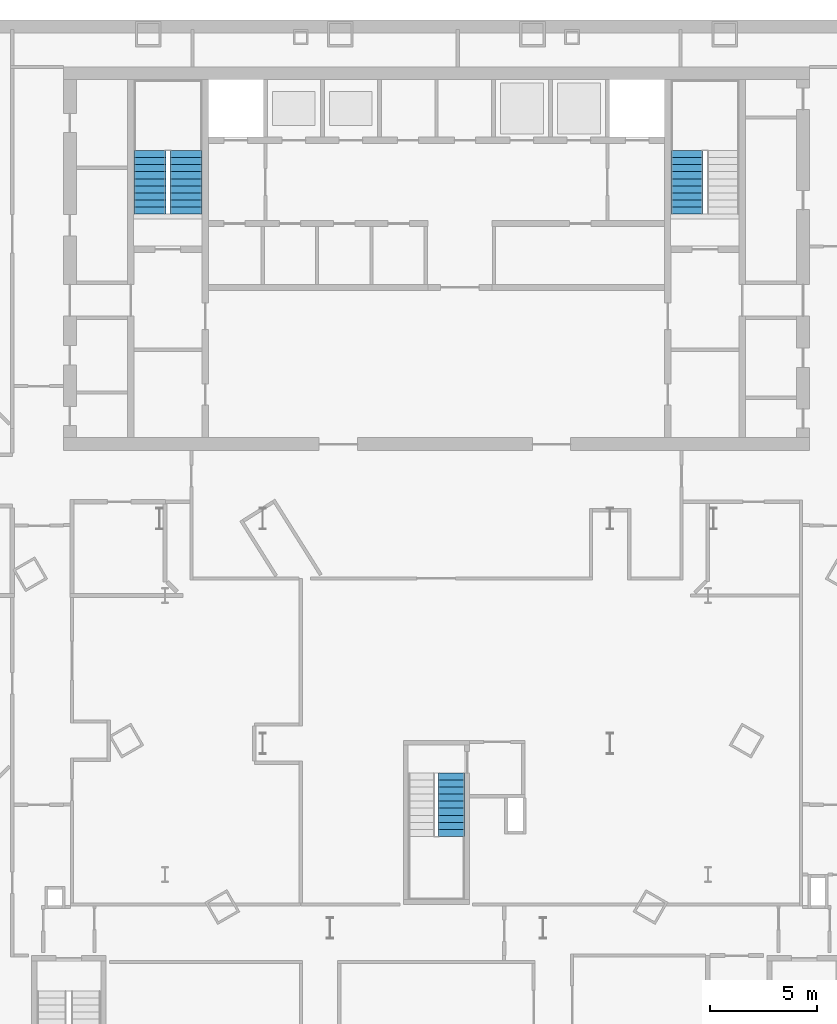
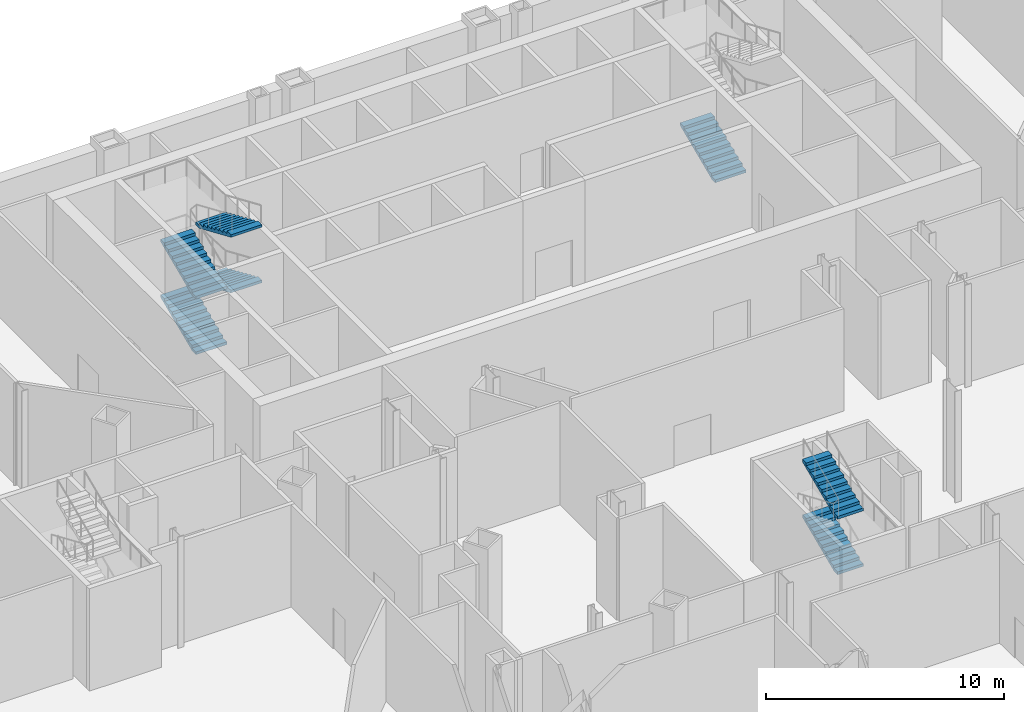
# One storey, part 14 of 18: 7 stair flights, 3 elements without a shape of their own.
"""IFC4 building model written with IfcOpenShell, lengths in metres."""

from ifc_helpers import new_model, si_unit, direction, frame, origin, place, context, subcontext, project, spatial, polygons, material, type_object, element, aggregate, save


model = new_model("IFC4")

# Units and contexts
model_context = context("Model", 3, precision=1e-05, world=origin(), true_north=direction((0.0, 1.0)))
body_context = subcontext(model_context, "Body", "Model", "MODEL_VIEW")
ifc_project = project(units=[si_unit("LENGTHUNIT", "METRE"), si_unit("AREAUNIT", "SQUARE_METRE"), si_unit("VOLUMEUNIT", "CUBIC_METRE"), si_unit("PLANEANGLEUNIT", "RADIAN"), si_unit("MASSUNIT", "GRAM", prefix="KILO")], contexts=[model_context])

# Site, building, storey
site_placement = place(None, origin())
site = spatial("IfcSite", under=ifc_project, at=site_placement, CompositionType="ELEMENT")
building_placement = place(site_placement, origin())
building = spatial("IfcBuilding", under=site, at=building_placement, Name="Njiva Tower", CompositionType="ELEMENT")
storey_placement = place(building_placement, frame((0.0, 0.0, -5.7)))
storey = spatial("IfcBuildingStorey", under=building, at=storey_placement, Name="B1", CompositionType="ELEMENT", Elevation=-5.7)

# Stair, stair flights
ifc_material = material(Name="Concrete C40/50", Category="concrete")
stair_type_1 = type_object("IfcStairType", Name="ST1 Exit stair 1250", PredefinedType="HALF_TURN_STAIR", material=ifc_material)
stair_1_placement = place(storey_placement, origin())
stair_1 = element("IfcStair", 1, at=stair_1_placement, inside=storey, type_object=stair_type_1, Name="Stair C basement", PredefinedType="DOUBLE_RETURN_STAIR")
stair_flight_type_1 = type_object("IfcStairFlightType", Name="FL1 Stair flight 1250", PredefinedType="STRAIGHT", material=ifc_material)
stair_flight_1_placement = place(storey_placement, frame((0.7, -18.105, 1.425), z_axis=(0.0, 0.0, 1.0), x_axis=(0.0, 1.0, 0.0)))
stair_flight_1 = element("IfcStairFlight", 2, at=stair_flight_1_placement, type_object=stair_flight_type_1, Name="ST-CB flight 2", NumberOfRisers=10, NumberOfTreads=9, PredefinedType="STRAIGHT", RiserHeight=0.1425, TreadLength=0.33, context=body_context, shape_type="Tessellation", body=[
    polygons([(0.0, 0.625, 0.0), (0.0, 0.3125, 0.0), (0.0, 0.0, 0.0), (0.0, -0.3125, 0.0), (0.0, -0.625, 0.0), (0.0, 0.625, 0.1425), (0.0, 0.3125, 0.1425), (0.0, 0.0, 0.1425), (0.0, -0.3125, 0.1425), (0.0, -0.625, 0.1425), (0.33, 0.625, 0.1425), (0.33, 0.3125, 0.1425), (0.33, 0.0, 0.1425), (0.33, -0.3125, 0.1425), (0.33, -0.625, 0.1425), (0.33, 0.625, 0.285), (0.33, 0.3125, 0.285), (0.33, 0.0, 0.285), (0.33, -0.3125, 0.285), (0.33, -0.625, 0.285), (0.66, 0.625, 0.285), (0.66, 0.3125, 0.285), (0.66, 0.0, 0.285), (0.66, -0.3125, 0.285), (0.66, -0.625, 0.285), (0.66, 0.625, 0.4275), (0.66, 0.3125, 0.4275), (0.66, 0.0, 0.4275), (0.66, -0.3125, 0.4275), (0.66, -0.625, 0.4275), (0.99, 0.625, 0.4275), (0.99, 0.3125, 0.4275), (0.99, 0.0, 0.4275), (0.99, -0.3125, 0.4275), (0.99, -0.625, 0.4275), (0.99, 0.625, 0.57), (0.99, 0.3125, 0.57), (0.99, 0.0, 0.57), (0.99, -0.3125, 0.57), (0.99, -0.625, 0.57), (1.32, 0.625, 0.57), (1.32, 0.3125, 0.57), (1.32, 0.0, 0.57), (1.32, -0.3125, 0.57), (1.32, -0.625, 0.57), (1.32, 0.625, 0.7125), (1.32, 0.3125, 0.7125), (1.32, 0.0, 0.7125), (1.32, -0.3125, 0.7125), (1.32, -0.625, 0.7125), (1.65, 0.625, 0.7125), (1.65, 0.3125, 0.7125), (1.65, 0.0, 0.7125), (1.65, -0.3125, 0.7125), (1.65, -0.625, 0.7125), (1.65, 0.625, 0.855), (1.65, 0.3125, 0.855), (1.65, 0.0, 0.855), (1.65, -0.3125, 0.855), (1.65, -0.625, 0.855), (1.98, 0.625, 0.855), (1.98, 0.3125, 0.855), (1.98, 0.0, 0.855), (1.98, -0.3125, 0.855), (1.98, -0.625, 0.855), (1.98, 0.625, 0.9975), (1.98, 0.3125, 0.9975), (1.98, 0.0, 0.9975), (1.98, -0.3125, 0.9975), (1.98, -0.625, 0.9975), (2.31, 0.625, 0.9975), (2.31, 0.3125, 0.9975), (2.31, 0.0, 0.9975), (2.31, -0.3125, 0.9975), (2.31, -0.625, 0.9975), (2.31, 0.625, 1.14), (2.31, 0.3125, 1.14), (2.31, 0.0, 1.14), (2.31, -0.3125, 1.14), (2.31, -0.625, 1.14), (2.64, 0.625, 1.14), (2.64, 0.3125, 1.14), (2.64, 0.0, 1.14), (2.64, -0.3125, 1.14), (2.64, -0.625, 1.14), (2.64, 0.625, 1.2825), (2.64, 0.3125, 1.2825), (2.64, 0.0, 1.2825), (2.64, -0.3125, 1.2825), (2.64, -0.625, 1.2825), (2.97, 0.625, 1.2825), (2.97, 0.3125, 1.2825), (2.97, 0.0, 1.2825), (2.97, -0.3125, 1.2825), (2.97, -0.625, 1.2825), (2.97, 0.625, 1.1518), (2.97, 0.3125, 1.1518), (2.97, 0.0, 1.1518), (2.97, -0.3125, 1.1518), (2.97, -0.625, 1.1518), (0.3027, 0.625, 0.0), (0.3027, 0.3125, 0.0), (0.3027, 0.0, 0.0), (0.3027, -0.3125, 0.0), (0.3027, -0.625, 0.0)], [[[1, 6, 11, 16, 21, 26, 31, 36, 41, 46, 51, 56, 61, 66, 71, 76, 81, 86, 91, 96, 101]], [[105, 100, 95, 90, 85, 80, 75, 70, 65, 60, 55, 50, 45, 40, 35, 30, 25, 20, 15, 10, 5]], [[6, 1, 2, 7]], [[7, 2, 3, 8]], [[8, 3, 4, 9]], [[9, 4, 5, 10]], [[11, 6, 7, 12]], [[12, 7, 8, 13]], [[13, 8, 9, 14]], [[14, 9, 10, 15]], [[16, 11, 12, 17]], [[17, 12, 13, 18]], [[18, 13, 14, 19]], [[19, 14, 15, 20]], [[21, 16, 17, 22]], [[22, 17, 18, 23]], [[23, 18, 19, 24]], [[24, 19, 20, 25]], [[26, 21, 22, 27]], [[27, 22, 23, 28]], [[28, 23, 24, 29]], [[29, 24, 25, 30]], [[31, 26, 27, 32]], [[32, 27, 28, 33]], [[33, 28, 29, 34]], [[34, 29, 30, 35]], [[36, 31, 32, 37]], [[37, 32, 33, 38]], [[38, 33, 34, 39]], [[39, 34, 35, 40]], [[41, 36, 37, 42]], [[42, 37, 38, 43]], [[43, 38, 39, 44]], [[44, 39, 40, 45]], [[46, 41, 42, 47]], [[47, 42, 43, 48]], [[48, 43, 44, 49]], [[49, 44, 45, 50]], [[51, 46, 47, 52]], [[52, 47, 48, 53]], [[53, 48, 49, 54]], [[54, 49, 50, 55]], [[56, 51, 52, 57]], [[57, 52, 53, 58]], [[58, 53, 54, 59]], [[59, 54, 55, 60]], [[61, 56, 57, 62]], [[62, 57, 58, 63]], [[63, 58, 59, 64]], [[64, 59, 60, 65]], [[66, 61, 62, 67]], [[67, 62, 63, 68]], [[68, 63, 64, 69]], [[69, 64, 65, 70]], [[71, 66, 67, 72]], [[72, 67, 68, 73]], [[73, 68, 69, 74]], [[74, 69, 70, 75]], [[76, 71, 72, 77]], [[77, 72, 73, 78]], [[78, 73, 74, 79]], [[79, 74, 75, 80]], [[81, 76, 77, 82]], [[82, 77, 78, 83]], [[83, 78, 79, 84]], [[84, 79, 80, 85]], [[86, 81, 82, 87]], [[87, 82, 83, 88]], [[88, 83, 84, 89]], [[89, 84, 85, 90]], [[91, 86, 87, 92]], [[92, 87, 88, 93]], [[93, 88, 89, 94]], [[94, 89, 90, 95]], [[96, 91, 92, 97]], [[97, 92, 93, 98]], [[98, 93, 94, 99]], [[99, 94, 95, 100]], [[101, 96, 97, 102]], [[102, 97, 98, 103]], [[103, 98, 99, 104]], [[104, 99, 100, 105]], [[1, 101, 102, 2]], [[2, 102, 103, 3]], [[3, 103, 104, 4]], [[4, 104, 105, 5]]], closed=True),
])
stair_flight_2_placement = place(storey_placement, frame((0.7, -18.105, 4.275), z_axis=(0.0, 0.0, 1.0), x_axis=(0.0, 1.0, 0.0)))
stair_flight_2 = element("IfcStairFlight", 3, at=stair_flight_2_placement, type_object=stair_flight_type_1, Name="ST-CB flight 4", NumberOfRisers=10, NumberOfTreads=9, PredefinedType="STRAIGHT", RiserHeight=0.1425, TreadLength=0.33, context=body_context, shape_type="Tessellation", body=[
    polygons([(0.0, 0.625, 0.0), (0.0, 0.3125, 0.0), (0.0, 0.0, 0.0), (0.0, -0.3125, 0.0), (0.0, -0.625, 0.0), (0.0, 0.625, 0.1425), (0.0, 0.3125, 0.1425), (0.0, 0.0, 0.1425), (0.0, -0.3125, 0.1425), (0.0, -0.625, 0.1425), (0.33, 0.625, 0.1425), (0.33, 0.3125, 0.1425), (0.33, 0.0, 0.1425), (0.33, -0.3125, 0.1425), (0.33, -0.625, 0.1425), (0.33, 0.625, 0.285), (0.33, 0.3125, 0.285), (0.33, 0.0, 0.285), (0.33, -0.3125, 0.285), (0.33, -0.625, 0.285), (0.66, 0.625, 0.285), (0.66, 0.3125, 0.285), (0.66, 0.0, 0.285), (0.66, -0.3125, 0.285), (0.66, -0.625, 0.285), (0.66, 0.625, 0.4275), (0.66, 0.3125, 0.4275), (0.66, 0.0, 0.4275), (0.66, -0.3125, 0.4275), (0.66, -0.625, 0.4275), (0.99, 0.625, 0.4275), (0.99, 0.3125, 0.4275), (0.99, 0.0, 0.4275), (0.99, -0.3125, 0.4275), (0.99, -0.625, 0.4275), (0.99, 0.625, 0.57), (0.99, 0.3125, 0.57), (0.99, 0.0, 0.57), (0.99, -0.3125, 0.57), (0.99, -0.625, 0.57), (1.32, 0.625, 0.57), (1.32, 0.3125, 0.57), (1.32, 0.0, 0.57), (1.32, -0.3125, 0.57), (1.32, -0.625, 0.57), (1.32, 0.625, 0.7125), (1.32, 0.3125, 0.7125), (1.32, 0.0, 0.7125), (1.32, -0.3125, 0.7125), (1.32, -0.625, 0.7125), (1.65, 0.625, 0.7125), (1.65, 0.3125, 0.7125), (1.65, 0.0, 0.7125), (1.65, -0.3125, 0.7125), (1.65, -0.625, 0.7125), (1.65, 0.625, 0.855), (1.65, 0.3125, 0.855), (1.65, 0.0, 0.855), (1.65, -0.3125, 0.855), (1.65, -0.625, 0.855), (1.98, 0.625, 0.855), (1.98, 0.3125, 0.855), (1.98, 0.0, 0.855), (1.98, -0.3125, 0.855), (1.98, -0.625, 0.855), (1.98, 0.625, 0.9975), (1.98, 0.3125, 0.9975), (1.98, 0.0, 0.9975), (1.98, -0.3125, 0.9975), (1.98, -0.625, 0.9975), (2.31, 0.625, 0.9975), (2.31, 0.3125, 0.9975), (2.31, 0.0, 0.9975), (2.31, -0.3125, 0.9975), (2.31, -0.625, 0.9975), (2.31, 0.625, 1.14), (2.31, 0.3125, 1.14), (2.31, 0.0, 1.14), (2.31, -0.3125, 1.14), (2.31, -0.625, 1.14), (2.64, 0.625, 1.14), (2.64, 0.3125, 1.14), (2.64, 0.0, 1.14), (2.64, -0.3125, 1.14), (2.64, -0.625, 1.14), (2.64, 0.625, 1.2825), (2.64, 0.3125, 1.2825), (2.64, 0.0, 1.2825), (2.64, -0.3125, 1.2825), (2.64, -0.625, 1.2825), (2.97, 0.625, 1.2825), (2.97, 0.3125, 1.2825), (2.97, 0.0, 1.2825), (2.97, -0.3125, 1.2825), (2.97, -0.625, 1.2825), (2.97, 0.625, 1.1518), (2.97, 0.3125, 1.1518), (2.97, 0.0, 1.1518), (2.97, -0.3125, 1.1518), (2.97, -0.625, 1.1518), (0.3027, 0.625, 0.0), (0.3027, 0.3125, 0.0), (0.3027, 0.0, 0.0), (0.3027, -0.3125, 0.0), (0.3027, -0.625, 0.0)], [[[1, 6, 11, 16, 21, 26, 31, 36, 41, 46, 51, 56, 61, 66, 71, 76, 81, 86, 91, 96, 101]], [[105, 100, 95, 90, 85, 80, 75, 70, 65, 60, 55, 50, 45, 40, 35, 30, 25, 20, 15, 10, 5]], [[6, 1, 2, 7]], [[7, 2, 3, 8]], [[8, 3, 4, 9]], [[9, 4, 5, 10]], [[11, 6, 7, 12]], [[12, 7, 8, 13]], [[13, 8, 9, 14]], [[14, 9, 10, 15]], [[16, 11, 12, 17]], [[17, 12, 13, 18]], [[18, 13, 14, 19]], [[19, 14, 15, 20]], [[21, 16, 17, 22]], [[22, 17, 18, 23]], [[23, 18, 19, 24]], [[24, 19, 20, 25]], [[26, 21, 22, 27]], [[27, 22, 23, 28]], [[28, 23, 24, 29]], [[29, 24, 25, 30]], [[31, 26, 27, 32]], [[32, 27, 28, 33]], [[33, 28, 29, 34]], [[34, 29, 30, 35]], [[36, 31, 32, 37]], [[37, 32, 33, 38]], [[38, 33, 34, 39]], [[39, 34, 35, 40]], [[41, 36, 37, 42]], [[42, 37, 38, 43]], [[43, 38, 39, 44]], [[44, 39, 40, 45]], [[46, 41, 42, 47]], [[47, 42, 43, 48]], [[48, 43, 44, 49]], [[49, 44, 45, 50]], [[51, 46, 47, 52]], [[52, 47, 48, 53]], [[53, 48, 49, 54]], [[54, 49, 50, 55]], [[56, 51, 52, 57]], [[57, 52, 53, 58]], [[58, 53, 54, 59]], [[59, 54, 55, 60]], [[61, 56, 57, 62]], [[62, 57, 58, 63]], [[63, 58, 59, 64]], [[64, 59, 60, 65]], [[66, 61, 62, 67]], [[67, 62, 63, 68]], [[68, 63, 64, 69]], [[69, 64, 65, 70]], [[71, 66, 67, 72]], [[72, 67, 68, 73]], [[73, 68, 69, 74]], [[74, 69, 70, 75]], [[76, 71, 72, 77]], [[77, 72, 73, 78]], [[78, 73, 74, 79]], [[79, 74, 75, 80]], [[81, 76, 77, 82]], [[82, 77, 78, 83]], [[83, 78, 79, 84]], [[84, 79, 80, 85]], [[86, 81, 82, 87]], [[87, 82, 83, 88]], [[88, 83, 84, 89]], [[89, 84, 85, 90]], [[91, 86, 87, 92]], [[92, 87, 88, 93]], [[93, 88, 89, 94]], [[94, 89, 90, 95]], [[96, 91, 92, 97]], [[97, 92, 93, 98]], [[98, 93, 94, 99]], [[99, 94, 95, 100]], [[101, 96, 97, 102]], [[102, 97, 98, 103]], [[103, 98, 99, 104]], [[104, 99, 100, 105]], [[1, 101, 102, 2]], [[2, 102, 103, 3]], [[3, 103, 104, 4]], [[4, 104, 105, 5]]], closed=True),
])
aggregate(stair_1, [stair_flight_1, stair_flight_2])

stair_type_2 = type_object("IfcStairType", Name="ST4 Exit stair 1500", PredefinedType="HALF_TURN_STAIR", material=ifc_material)
stair_2_placement = place(storey_placement, origin())
stair_2 = element("IfcStair", 4, at=stair_2_placement, inside=storey, type_object=stair_type_2, Name="Stair A basement", PredefinedType="DOUBLE_RETURN_STAIR")
stair_flight_type_2 = type_object("IfcStairFlightType", Name="FL4 Stair flight 1500", PredefinedType="STRAIGHT", material=ifc_material)
stair_flight_3_placement = place(storey_placement, frame((-13.45, 11.1, 0.0), z_axis=(0.0, 0.0, 1.0), x_axis=(0.0, 1.0, 0.0)))
stair_flight_3 = element("IfcStairFlight", 5, at=stair_flight_3_placement, type_object=stair_flight_type_2, Name="ST-AB flight 1", NumberOfRisers=10, NumberOfTreads=9, PredefinedType="STRAIGHT", RiserHeight=0.1425, TreadLength=0.33, context=body_context, shape_type="Tessellation", body=[
    polygons([(0.0, 0.75, 0.0), (0.0, 0.375, 0.0), (0.0, 0.0, 0.0), (0.0, -0.375, 0.0), (0.0, -0.75, 0.0), (0.0, 0.75, 0.1425), (0.0, 0.375, 0.1425), (0.0, 0.0, 0.1425), (0.0, -0.375, 0.1425), (0.0, -0.75, 0.1425), (0.33, 0.75, 0.1425), (0.33, 0.375, 0.1425), (0.33, 0.0, 0.1425), (0.33, -0.375, 0.1425), (0.33, -0.75, 0.1425), (0.33, 0.75, 0.285), (0.33, 0.375, 0.285), (0.33, 0.0, 0.285), (0.33, -0.375, 0.285), (0.33, -0.75, 0.285), (0.66, 0.75, 0.285), (0.66, 0.375, 0.285), (0.66, 0.0, 0.285), (0.66, -0.375, 0.285), (0.66, -0.75, 0.285), (0.66, 0.75, 0.4275), (0.66, 0.375, 0.4275), (0.66, 0.0, 0.4275), (0.66, -0.375, 0.4275), (0.66, -0.75, 0.4275), (0.99, 0.75, 0.4275), (0.99, 0.375, 0.4275), (0.99, 0.0, 0.4275), (0.99, -0.375, 0.4275), (0.99, -0.75, 0.4275), (0.99, 0.75, 0.57), (0.99, 0.375, 0.57), (0.99, 0.0, 0.57), (0.99, -0.375, 0.57), (0.99, -0.75, 0.57), (1.32, 0.75, 0.57), (1.32, 0.375, 0.57), (1.32, 0.0, 0.57), (1.32, -0.375, 0.57), (1.32, -0.75, 0.57), (1.32, 0.75, 0.7125), (1.32, 0.375, 0.7125), (1.32, 0.0, 0.7125), (1.32, -0.375, 0.7125), (1.32, -0.75, 0.7125), (1.65, 0.75, 0.7125), (1.65, 0.375, 0.7125), (1.65, 0.0, 0.7125), (1.65, -0.375, 0.7125), (1.65, -0.75, 0.7125), (1.65, 0.75, 0.855), (1.65, 0.375, 0.855), (1.65, 0.0, 0.855), (1.65, -0.375, 0.855), (1.65, -0.75, 0.855), (1.98, 0.75, 0.855), (1.98, 0.375, 0.855), (1.98, 0.0, 0.855), (1.98, -0.375, 0.855), (1.98, -0.75, 0.855), (1.98, 0.75, 0.9975), (1.98, 0.375, 0.9975), (1.98, 0.0, 0.9975), (1.98, -0.375, 0.9975), (1.98, -0.75, 0.9975), (2.31, 0.75, 0.9975), (2.31, 0.375, 0.9975), (2.31, 0.0, 0.9975), (2.31, -0.375, 0.9975), (2.31, -0.75, 0.9975), (2.31, 0.75, 1.14), (2.31, 0.375, 1.14), (2.31, 0.0, 1.14), (2.31, -0.375, 1.14), (2.31, -0.75, 1.14), (2.64, 0.75, 1.14), (2.64, 0.375, 1.14), (2.64, 0.0, 1.14), (2.64, -0.375, 1.14), (2.64, -0.75, 1.14), (2.64, 0.75, 1.2825), (2.64, 0.375, 1.2825), (2.64, 0.0, 1.2825), (2.64, -0.375, 1.2825), (2.64, -0.75, 1.2825), (2.97, 0.75, 1.2825), (2.97, 0.375, 1.2825), (2.97, 0.0, 1.2825), (2.97, -0.375, 1.2825), (2.97, -0.75, 1.2825), (2.97, 0.75, 1.1518), (2.97, 0.375, 1.1518), (2.97, 0.0, 1.1518), (2.97, -0.375, 1.1518), (2.97, -0.75, 1.1518), (0.3027, 0.75, 0.0), (0.3027, 0.375, 0.0), (0.3027, 0.0, 0.0), (0.3027, -0.375, 0.0), (0.3027, -0.75, 0.0)], [[[1, 6, 11, 16, 21, 26, 31, 36, 41, 46, 51, 56, 61, 66, 71, 76, 81, 86, 91, 96, 101]], [[105, 100, 95, 90, 85, 80, 75, 70, 65, 60, 55, 50, 45, 40, 35, 30, 25, 20, 15, 10, 5]], [[6, 1, 2, 7]], [[7, 2, 3, 8]], [[8, 3, 4, 9]], [[9, 4, 5, 10]], [[11, 6, 7, 12]], [[12, 7, 8, 13]], [[13, 8, 9, 14]], [[14, 9, 10, 15]], [[16, 11, 12, 17]], [[17, 12, 13, 18]], [[18, 13, 14, 19]], [[19, 14, 15, 20]], [[21, 16, 17, 22]], [[22, 17, 18, 23]], [[23, 18, 19, 24]], [[24, 19, 20, 25]], [[26, 21, 22, 27]], [[27, 22, 23, 28]], [[28, 23, 24, 29]], [[29, 24, 25, 30]], [[31, 26, 27, 32]], [[32, 27, 28, 33]], [[33, 28, 29, 34]], [[34, 29, 30, 35]], [[36, 31, 32, 37]], [[37, 32, 33, 38]], [[38, 33, 34, 39]], [[39, 34, 35, 40]], [[41, 36, 37, 42]], [[42, 37, 38, 43]], [[43, 38, 39, 44]], [[44, 39, 40, 45]], [[46, 41, 42, 47]], [[47, 42, 43, 48]], [[48, 43, 44, 49]], [[49, 44, 45, 50]], [[51, 46, 47, 52]], [[52, 47, 48, 53]], [[53, 48, 49, 54]], [[54, 49, 50, 55]], [[56, 51, 52, 57]], [[57, 52, 53, 58]], [[58, 53, 54, 59]], [[59, 54, 55, 60]], [[61, 56, 57, 62]], [[62, 57, 58, 63]], [[63, 58, 59, 64]], [[64, 59, 60, 65]], [[66, 61, 62, 67]], [[67, 62, 63, 68]], [[68, 63, 64, 69]], [[69, 64, 65, 70]], [[71, 66, 67, 72]], [[72, 67, 68, 73]], [[73, 68, 69, 74]], [[74, 69, 70, 75]], [[76, 71, 72, 77]], [[77, 72, 73, 78]], [[78, 73, 74, 79]], [[79, 74, 75, 80]], [[81, 76, 77, 82]], [[82, 77, 78, 83]], [[83, 78, 79, 84]], [[84, 79, 80, 85]], [[86, 81, 82, 87]], [[87, 82, 83, 88]], [[88, 83, 84, 89]], [[89, 84, 85, 90]], [[91, 86, 87, 92]], [[92, 87, 88, 93]], [[93, 88, 89, 94]], [[94, 89, 90, 95]], [[96, 91, 92, 97]], [[97, 92, 93, 98]], [[98, 93, 94, 99]], [[99, 94, 95, 100]], [[101, 96, 97, 102]], [[102, 97, 98, 103]], [[103, 98, 99, 104]], [[104, 99, 100, 105]], [[1, 101, 102, 2]], [[2, 102, 103, 3]], [[3, 103, 104, 4]], [[4, 104, 105, 5]]], closed=True),
])
stair_flight_4_placement = place(storey_placement, frame((-11.75, 14.07, 1.425), z_axis=(0.0, 0.0, 1.0), x_axis=(0.0, -1.0, 0.0)))
stair_flight_4 = element("IfcStairFlight", 6, at=stair_flight_4_placement, type_object=stair_flight_type_2, Name="ST-AB flight 2", NumberOfRisers=10, NumberOfTreads=9, PredefinedType="STRAIGHT", RiserHeight=0.1425, TreadLength=0.33, context=body_context, shape_type="Tessellation", body=[
    polygons([(0.0, 0.75, 0.0), (0.0, 0.375, 0.0), (0.0, 0.0, 0.0), (0.0, -0.375, 0.0), (0.0, -0.75, 0.0), (0.0, 0.75, 0.1425), (0.0, 0.375, 0.1425), (0.0, 0.0, 0.1425), (0.0, -0.375, 0.1425), (0.0, -0.75, 0.1425), (0.33, 0.75, 0.1425), (0.33, 0.375, 0.1425), (0.33, 0.0, 0.1425), (0.33, -0.375, 0.1425), (0.33, -0.75, 0.1425), (0.33, 0.75, 0.285), (0.33, 0.375, 0.285), (0.33, 0.0, 0.285), (0.33, -0.375, 0.285), (0.33, -0.75, 0.285), (0.66, 0.75, 0.285), (0.66, 0.375, 0.285), (0.66, 0.0, 0.285), (0.66, -0.375, 0.285), (0.66, -0.75, 0.285), (0.66, 0.75, 0.4275), (0.66, 0.375, 0.4275), (0.66, 0.0, 0.4275), (0.66, -0.375, 0.4275), (0.66, -0.75, 0.4275), (0.99, 0.75, 0.4275), (0.99, 0.375, 0.4275), (0.99, 0.0, 0.4275), (0.99, -0.375, 0.4275), (0.99, -0.75, 0.4275), (0.99, 0.75, 0.57), (0.99, 0.375, 0.57), (0.99, 0.0, 0.57), (0.99, -0.375, 0.57), (0.99, -0.75, 0.57), (1.32, 0.75, 0.57), (1.32, 0.375, 0.57), (1.32, 0.0, 0.57), (1.32, -0.375, 0.57), (1.32, -0.75, 0.57), (1.32, 0.75, 0.7125), (1.32, 0.375, 0.7125), (1.32, 0.0, 0.7125), (1.32, -0.375, 0.7125), (1.32, -0.75, 0.7125), (1.65, 0.75, 0.7125), (1.65, 0.375, 0.7125), (1.65, 0.0, 0.7125), (1.65, -0.375, 0.7125), (1.65, -0.75, 0.7125), (1.65, 0.75, 0.855), (1.65, 0.375, 0.855), (1.65, 0.0, 0.855), (1.65, -0.375, 0.855), (1.65, -0.75, 0.855), (1.98, 0.75, 0.855), (1.98, 0.375, 0.855), (1.98, 0.0, 0.855), (1.98, -0.375, 0.855), (1.98, -0.75, 0.855), (1.98, 0.75, 0.9975), (1.98, 0.375, 0.9975), (1.98, 0.0, 0.9975), (1.98, -0.375, 0.9975), (1.98, -0.75, 0.9975), (2.31, 0.75, 0.9975), (2.31, 0.375, 0.9975), (2.31, 0.0, 0.9975), (2.31, -0.375, 0.9975), (2.31, -0.75, 0.9975), (2.31, 0.75, 1.14), (2.31, 0.375, 1.14), (2.31, 0.0, 1.14), (2.31, -0.375, 1.14), (2.31, -0.75, 1.14), (2.64, 0.75, 1.14), (2.64, 0.375, 1.14), (2.64, 0.0, 1.14), (2.64, -0.375, 1.14), (2.64, -0.75, 1.14), (2.64, 0.75, 1.2825), (2.64, 0.375, 1.2825), (2.64, 0.0, 1.2825), (2.64, -0.375, 1.2825), (2.64, -0.75, 1.2825), (2.97, 0.75, 1.2825), (2.97, 0.375, 1.2825), (2.97, 0.0, 1.2825), (2.97, -0.375, 1.2825), (2.97, -0.75, 1.2825), (2.97, 0.75, 1.1518), (2.97, 0.375, 1.1518), (2.97, 0.0, 1.1518), (2.97, -0.375, 1.1518), (2.97, -0.75, 1.1518), (0.3027, 0.75, 0.0), (0.3027, 0.375, 0.0), (0.3027, 0.0, 0.0), (0.3027, -0.375, 0.0), (0.3027, -0.75, 0.0)], [[[1, 6, 11, 16, 21, 26, 31, 36, 41, 46, 51, 56, 61, 66, 71, 76, 81, 86, 91, 96, 101]], [[105, 100, 95, 90, 85, 80, 75, 70, 65, 60, 55, 50, 45, 40, 35, 30, 25, 20, 15, 10, 5]], [[6, 1, 2, 7]], [[7, 2, 3, 8]], [[8, 3, 4, 9]], [[9, 4, 5, 10]], [[11, 6, 7, 12]], [[12, 7, 8, 13]], [[13, 8, 9, 14]], [[14, 9, 10, 15]], [[16, 11, 12, 17]], [[17, 12, 13, 18]], [[18, 13, 14, 19]], [[19, 14, 15, 20]], [[21, 16, 17, 22]], [[22, 17, 18, 23]], [[23, 18, 19, 24]], [[24, 19, 20, 25]], [[26, 21, 22, 27]], [[27, 22, 23, 28]], [[28, 23, 24, 29]], [[29, 24, 25, 30]], [[31, 26, 27, 32]], [[32, 27, 28, 33]], [[33, 28, 29, 34]], [[34, 29, 30, 35]], [[36, 31, 32, 37]], [[37, 32, 33, 38]], [[38, 33, 34, 39]], [[39, 34, 35, 40]], [[41, 36, 37, 42]], [[42, 37, 38, 43]], [[43, 38, 39, 44]], [[44, 39, 40, 45]], [[46, 41, 42, 47]], [[47, 42, 43, 48]], [[48, 43, 44, 49]], [[49, 44, 45, 50]], [[51, 46, 47, 52]], [[52, 47, 48, 53]], [[53, 48, 49, 54]], [[54, 49, 50, 55]], [[56, 51, 52, 57]], [[57, 52, 53, 58]], [[58, 53, 54, 59]], [[59, 54, 55, 60]], [[61, 56, 57, 62]], [[62, 57, 58, 63]], [[63, 58, 59, 64]], [[64, 59, 60, 65]], [[66, 61, 62, 67]], [[67, 62, 63, 68]], [[68, 63, 64, 69]], [[69, 64, 65, 70]], [[71, 66, 67, 72]], [[72, 67, 68, 73]], [[73, 68, 69, 74]], [[74, 69, 70, 75]], [[76, 71, 72, 77]], [[77, 72, 73, 78]], [[78, 73, 74, 79]], [[79, 74, 75, 80]], [[81, 76, 77, 82]], [[82, 77, 78, 83]], [[83, 78, 79, 84]], [[84, 79, 80, 85]], [[86, 81, 82, 87]], [[87, 82, 83, 88]], [[88, 83, 84, 89]], [[89, 84, 85, 90]], [[91, 86, 87, 92]], [[92, 87, 88, 93]], [[93, 88, 89, 94]], [[94, 89, 90, 95]], [[96, 91, 92, 97]], [[97, 92, 93, 98]], [[98, 93, 94, 99]], [[99, 94, 95, 100]], [[101, 96, 97, 102]], [[102, 97, 98, 103]], [[103, 98, 99, 104]], [[104, 99, 100, 105]], [[1, 101, 102, 2]], [[2, 102, 103, 3]], [[3, 103, 104, 4]], [[4, 104, 105, 5]]], closed=True),
])
stair_flight_5_placement = place(storey_placement, frame((-13.45, 11.1, 2.85), z_axis=(0.0, 0.0, 1.0), x_axis=(0.0, 1.0, 0.0)))
stair_flight_5 = element("IfcStairFlight", 7, at=stair_flight_5_placement, type_object=stair_flight_type_2, Name="ST-AB flight 3", NumberOfRisers=10, NumberOfTreads=9, PredefinedType="STRAIGHT", RiserHeight=0.1425, TreadLength=0.33, context=body_context, shape_type="Tessellation", body=[
    polygons([(0.0, 0.75, 0.0), (0.0, 0.375, 0.0), (0.0, 0.0, 0.0), (0.0, -0.375, 0.0), (0.0, -0.75, 0.0), (0.0, 0.75, 0.1425), (0.0, 0.375, 0.1425), (0.0, 0.0, 0.1425), (0.0, -0.375, 0.1425), (0.0, -0.75, 0.1425), (0.33, 0.75, 0.1425), (0.33, 0.375, 0.1425), (0.33, 0.0, 0.1425), (0.33, -0.375, 0.1425), (0.33, -0.75, 0.1425), (0.33, 0.75, 0.285), (0.33, 0.375, 0.285), (0.33, 0.0, 0.285), (0.33, -0.375, 0.285), (0.33, -0.75, 0.285), (0.66, 0.75, 0.285), (0.66, 0.375, 0.285), (0.66, 0.0, 0.285), (0.66, -0.375, 0.285), (0.66, -0.75, 0.285), (0.66, 0.75, 0.4275), (0.66, 0.375, 0.4275), (0.66, 0.0, 0.4275), (0.66, -0.375, 0.4275), (0.66, -0.75, 0.4275), (0.99, 0.75, 0.4275), (0.99, 0.375, 0.4275), (0.99, 0.0, 0.4275), (0.99, -0.375, 0.4275), (0.99, -0.75, 0.4275), (0.99, 0.75, 0.57), (0.99, 0.375, 0.57), (0.99, 0.0, 0.57), (0.99, -0.375, 0.57), (0.99, -0.75, 0.57), (1.32, 0.75, 0.57), (1.32, 0.375, 0.57), (1.32, 0.0, 0.57), (1.32, -0.375, 0.57), (1.32, -0.75, 0.57), (1.32, 0.75, 0.7125), (1.32, 0.375, 0.7125), (1.32, 0.0, 0.7125), (1.32, -0.375, 0.7125), (1.32, -0.75, 0.7125), (1.65, 0.75, 0.7125), (1.65, 0.375, 0.7125), (1.65, 0.0, 0.7125), (1.65, -0.375, 0.7125), (1.65, -0.75, 0.7125), (1.65, 0.75, 0.855), (1.65, 0.375, 0.855), (1.65, 0.0, 0.855), (1.65, -0.375, 0.855), (1.65, -0.75, 0.855), (1.98, 0.75, 0.855), (1.98, 0.375, 0.855), (1.98, 0.0, 0.855), (1.98, -0.375, 0.855), (1.98, -0.75, 0.855), (1.98, 0.75, 0.9975), (1.98, 0.375, 0.9975), (1.98, 0.0, 0.9975), (1.98, -0.375, 0.9975), (1.98, -0.75, 0.9975), (2.31, 0.75, 0.9975), (2.31, 0.375, 0.9975), (2.31, 0.0, 0.9975), (2.31, -0.375, 0.9975), (2.31, -0.75, 0.9975), (2.31, 0.75, 1.14), (2.31, 0.375, 1.14), (2.31, 0.0, 1.14), (2.31, -0.375, 1.14), (2.31, -0.75, 1.14), (2.64, 0.75, 1.14), (2.64, 0.375, 1.14), (2.64, 0.0, 1.14), (2.64, -0.375, 1.14), (2.64, -0.75, 1.14), (2.64, 0.75, 1.2825), (2.64, 0.375, 1.2825), (2.64, 0.0, 1.2825), (2.64, -0.375, 1.2825), (2.64, -0.75, 1.2825), (2.97, 0.75, 1.2825), (2.97, 0.375, 1.2825), (2.97, 0.0, 1.2825), (2.97, -0.375, 1.2825), (2.97, -0.75, 1.2825), (2.97, 0.75, 1.1518), (2.97, 0.375, 1.1518), (2.97, 0.0, 1.1518), (2.97, -0.375, 1.1518), (2.97, -0.75, 1.1518), (0.3027, 0.75, 0.0), (0.3027, 0.375, 0.0), (0.3027, 0.0, 0.0), (0.3027, -0.375, 0.0), (0.3027, -0.75, 0.0)], [[[1, 6, 11, 16, 21, 26, 31, 36, 41, 46, 51, 56, 61, 66, 71, 76, 81, 86, 91, 96, 101]], [[105, 100, 95, 90, 85, 80, 75, 70, 65, 60, 55, 50, 45, 40, 35, 30, 25, 20, 15, 10, 5]], [[6, 1, 2, 7]], [[7, 2, 3, 8]], [[8, 3, 4, 9]], [[9, 4, 5, 10]], [[11, 6, 7, 12]], [[12, 7, 8, 13]], [[13, 8, 9, 14]], [[14, 9, 10, 15]], [[16, 11, 12, 17]], [[17, 12, 13, 18]], [[18, 13, 14, 19]], [[19, 14, 15, 20]], [[21, 16, 17, 22]], [[22, 17, 18, 23]], [[23, 18, 19, 24]], [[24, 19, 20, 25]], [[26, 21, 22, 27]], [[27, 22, 23, 28]], [[28, 23, 24, 29]], [[29, 24, 25, 30]], [[31, 26, 27, 32]], [[32, 27, 28, 33]], [[33, 28, 29, 34]], [[34, 29, 30, 35]], [[36, 31, 32, 37]], [[37, 32, 33, 38]], [[38, 33, 34, 39]], [[39, 34, 35, 40]], [[41, 36, 37, 42]], [[42, 37, 38, 43]], [[43, 38, 39, 44]], [[44, 39, 40, 45]], [[46, 41, 42, 47]], [[47, 42, 43, 48]], [[48, 43, 44, 49]], [[49, 44, 45, 50]], [[51, 46, 47, 52]], [[52, 47, 48, 53]], [[53, 48, 49, 54]], [[54, 49, 50, 55]], [[56, 51, 52, 57]], [[57, 52, 53, 58]], [[58, 53, 54, 59]], [[59, 54, 55, 60]], [[61, 56, 57, 62]], [[62, 57, 58, 63]], [[63, 58, 59, 64]], [[64, 59, 60, 65]], [[66, 61, 62, 67]], [[67, 62, 63, 68]], [[68, 63, 64, 69]], [[69, 64, 65, 70]], [[71, 66, 67, 72]], [[72, 67, 68, 73]], [[73, 68, 69, 74]], [[74, 69, 70, 75]], [[76, 71, 72, 77]], [[77, 72, 73, 78]], [[78, 73, 74, 79]], [[79, 74, 75, 80]], [[81, 76, 77, 82]], [[82, 77, 78, 83]], [[83, 78, 79, 84]], [[84, 79, 80, 85]], [[86, 81, 82, 87]], [[87, 82, 83, 88]], [[88, 83, 84, 89]], [[89, 84, 85, 90]], [[91, 86, 87, 92]], [[92, 87, 88, 93]], [[93, 88, 89, 94]], [[94, 89, 90, 95]], [[96, 91, 92, 97]], [[97, 92, 93, 98]], [[98, 93, 94, 99]], [[99, 94, 95, 100]], [[101, 96, 97, 102]], [[102, 97, 98, 103]], [[103, 98, 99, 104]], [[104, 99, 100, 105]], [[1, 101, 102, 2]], [[2, 102, 103, 3]], [[3, 103, 104, 4]], [[4, 104, 105, 5]]], closed=True),
])
stair_flight_6_placement = place(storey_placement, frame((-11.75, 14.07, 4.275), z_axis=(0.0, 0.0, 1.0), x_axis=(0.0, -1.0, 0.0)))
stair_flight_6 = element("IfcStairFlight", 8, at=stair_flight_6_placement, type_object=stair_flight_type_2, Name="ST-AB flight 4", NumberOfRisers=10, NumberOfTreads=9, PredefinedType="STRAIGHT", RiserHeight=0.1425, TreadLength=0.33, context=body_context, shape_type="Tessellation", body=[
    polygons([(0.0, 0.75, 0.0), (0.0, 0.375, 0.0), (0.0, 0.0, 0.0), (0.0, -0.375, 0.0), (0.0, -0.75, 0.0), (0.0, 0.75, 0.1425), (0.0, 0.375, 0.1425), (0.0, 0.0, 0.1425), (0.0, -0.375, 0.1425), (0.0, -0.75, 0.1425), (0.33, 0.75, 0.1425), (0.33, 0.375, 0.1425), (0.33, 0.0, 0.1425), (0.33, -0.375, 0.1425), (0.33, -0.75, 0.1425), (0.33, 0.75, 0.285), (0.33, 0.375, 0.285), (0.33, 0.0, 0.285), (0.33, -0.375, 0.285), (0.33, -0.75, 0.285), (0.66, 0.75, 0.285), (0.66, 0.375, 0.285), (0.66, 0.0, 0.285), (0.66, -0.375, 0.285), (0.66, -0.75, 0.285), (0.66, 0.75, 0.4275), (0.66, 0.375, 0.4275), (0.66, 0.0, 0.4275), (0.66, -0.375, 0.4275), (0.66, -0.75, 0.4275), (0.99, 0.75, 0.4275), (0.99, 0.375, 0.4275), (0.99, 0.0, 0.4275), (0.99, -0.375, 0.4275), (0.99, -0.75, 0.4275), (0.99, 0.75, 0.57), (0.99, 0.375, 0.57), (0.99, 0.0, 0.57), (0.99, -0.375, 0.57), (0.99, -0.75, 0.57), (1.32, 0.75, 0.57), (1.32, 0.375, 0.57), (1.32, 0.0, 0.57), (1.32, -0.375, 0.57), (1.32, -0.75, 0.57), (1.32, 0.75, 0.7125), (1.32, 0.375, 0.7125), (1.32, 0.0, 0.7125), (1.32, -0.375, 0.7125), (1.32, -0.75, 0.7125), (1.65, 0.75, 0.7125), (1.65, 0.375, 0.7125), (1.65, 0.0, 0.7125), (1.65, -0.375, 0.7125), (1.65, -0.75, 0.7125), (1.65, 0.75, 0.855), (1.65, 0.375, 0.855), (1.65, 0.0, 0.855), (1.65, -0.375, 0.855), (1.65, -0.75, 0.855), (1.98, 0.75, 0.855), (1.98, 0.375, 0.855), (1.98, 0.0, 0.855), (1.98, -0.375, 0.855), (1.98, -0.75, 0.855), (1.98, 0.75, 0.9975), (1.98, 0.375, 0.9975), (1.98, 0.0, 0.9975), (1.98, -0.375, 0.9975), (1.98, -0.75, 0.9975), (2.31, 0.75, 0.9975), (2.31, 0.375, 0.9975), (2.31, 0.0, 0.9975), (2.31, -0.375, 0.9975), (2.31, -0.75, 0.9975), (2.31, 0.75, 1.14), (2.31, 0.375, 1.14), (2.31, 0.0, 1.14), (2.31, -0.375, 1.14), (2.31, -0.75, 1.14), (2.64, 0.75, 1.14), (2.64, 0.375, 1.14), (2.64, 0.0, 1.14), (2.64, -0.375, 1.14), (2.64, -0.75, 1.14), (2.64, 0.75, 1.2825), (2.64, 0.375, 1.2825), (2.64, 0.0, 1.2825), (2.64, -0.375, 1.2825), (2.64, -0.75, 1.2825), (2.97, 0.75, 1.2825), (2.97, 0.375, 1.2825), (2.97, 0.0, 1.2825), (2.97, -0.375, 1.2825), (2.97, -0.75, 1.2825), (2.97, 0.75, 1.1518), (2.97, 0.375, 1.1518), (2.97, 0.0, 1.1518), (2.97, -0.375, 1.1518), (2.97, -0.75, 1.1518), (0.3027, 0.75, 0.0), (0.3027, 0.375, 0.0), (0.3027, 0.0, 0.0), (0.3027, -0.375, 0.0), (0.3027, -0.75, 0.0)], [[[1, 6, 11, 16, 21, 26, 31, 36, 41, 46, 51, 56, 61, 66, 71, 76, 81, 86, 91, 96, 101]], [[105, 100, 95, 90, 85, 80, 75, 70, 65, 60, 55, 50, 45, 40, 35, 30, 25, 20, 15, 10, 5]], [[6, 1, 2, 7]], [[7, 2, 3, 8]], [[8, 3, 4, 9]], [[9, 4, 5, 10]], [[11, 6, 7, 12]], [[12, 7, 8, 13]], [[13, 8, 9, 14]], [[14, 9, 10, 15]], [[16, 11, 12, 17]], [[17, 12, 13, 18]], [[18, 13, 14, 19]], [[19, 14, 15, 20]], [[21, 16, 17, 22]], [[22, 17, 18, 23]], [[23, 18, 19, 24]], [[24, 19, 20, 25]], [[26, 21, 22, 27]], [[27, 22, 23, 28]], [[28, 23, 24, 29]], [[29, 24, 25, 30]], [[31, 26, 27, 32]], [[32, 27, 28, 33]], [[33, 28, 29, 34]], [[34, 29, 30, 35]], [[36, 31, 32, 37]], [[37, 32, 33, 38]], [[38, 33, 34, 39]], [[39, 34, 35, 40]], [[41, 36, 37, 42]], [[42, 37, 38, 43]], [[43, 38, 39, 44]], [[44, 39, 40, 45]], [[46, 41, 42, 47]], [[47, 42, 43, 48]], [[48, 43, 44, 49]], [[49, 44, 45, 50]], [[51, 46, 47, 52]], [[52, 47, 48, 53]], [[53, 48, 49, 54]], [[54, 49, 50, 55]], [[56, 51, 52, 57]], [[57, 52, 53, 58]], [[58, 53, 54, 59]], [[59, 54, 55, 60]], [[61, 56, 57, 62]], [[62, 57, 58, 63]], [[63, 58, 59, 64]], [[64, 59, 60, 65]], [[66, 61, 62, 67]], [[67, 62, 63, 68]], [[68, 63, 64, 69]], [[69, 64, 65, 70]], [[71, 66, 67, 72]], [[72, 67, 68, 73]], [[73, 68, 69, 74]], [[74, 69, 70, 75]], [[76, 71, 72, 77]], [[77, 72, 73, 78]], [[78, 73, 74, 79]], [[79, 74, 75, 80]], [[81, 76, 77, 82]], [[82, 77, 78, 83]], [[83, 78, 79, 84]], [[84, 79, 80, 85]], [[86, 81, 82, 87]], [[87, 82, 83, 88]], [[88, 83, 84, 89]], [[89, 84, 85, 90]], [[91, 86, 87, 92]], [[92, 87, 88, 93]], [[93, 88, 89, 94]], [[94, 89, 90, 95]], [[96, 91, 92, 97]], [[97, 92, 93, 98]], [[98, 93, 94, 99]], [[99, 94, 95, 100]], [[101, 96, 97, 102]], [[102, 97, 98, 103]], [[103, 98, 99, 104]], [[104, 99, 100, 105]], [[1, 101, 102, 2]], [[2, 102, 103, 3]], [[3, 103, 104, 4]], [[4, 104, 105, 5]]], closed=True),
])
aggregate(stair_2, [stair_flight_3, stair_flight_4, stair_flight_5, stair_flight_6])

# Stair, stair flight
stair_3_placement = place(storey_placement, origin())
stair_3 = element("IfcStair", 9, at=stair_3_placement, inside=storey, type_object=stair_type_2, Name="Stair B basement", PredefinedType="DOUBLE_RETURN_STAIR")
stair_flight_7_placement = place(storey_placement, frame((11.75, 11.1, 0.0), z_axis=(0.0, 0.0, 1.0), x_axis=(0.0, 1.0, 0.0)))
stair_flight_7 = element("IfcStairFlight", 10, at=stair_flight_7_placement, type_object=stair_flight_type_2, Name="ST-BB flight 1", NumberOfRisers=10, NumberOfTreads=9, PredefinedType="STRAIGHT", RiserHeight=0.1425, TreadLength=0.33, context=body_context, shape_type="Tessellation", body=[
    polygons([(0.0, 0.75, 0.0), (0.0, 0.375, 0.0), (0.0, 0.0, 0.0), (0.0, -0.375, 0.0), (0.0, -0.75, 0.0), (0.0, 0.75, 0.1425), (0.0, 0.375, 0.1425), (0.0, 0.0, 0.1425), (0.0, -0.375, 0.1425), (0.0, -0.75, 0.1425), (0.33, 0.75, 0.1425), (0.33, 0.375, 0.1425), (0.33, 0.0, 0.1425), (0.33, -0.375, 0.1425), (0.33, -0.75, 0.1425), (0.33, 0.75, 0.285), (0.33, 0.375, 0.285), (0.33, 0.0, 0.285), (0.33, -0.375, 0.285), (0.33, -0.75, 0.285), (0.66, 0.75, 0.285), (0.66, 0.375, 0.285), (0.66, 0.0, 0.285), (0.66, -0.375, 0.285), (0.66, -0.75, 0.285), (0.66, 0.75, 0.4275), (0.66, 0.375, 0.4275), (0.66, 0.0, 0.4275), (0.66, -0.375, 0.4275), (0.66, -0.75, 0.4275), (0.99, 0.75, 0.4275), (0.99, 0.375, 0.4275), (0.99, 0.0, 0.4275), (0.99, -0.375, 0.4275), (0.99, -0.75, 0.4275), (0.99, 0.75, 0.57), (0.99, 0.375, 0.57), (0.99, 0.0, 0.57), (0.99, -0.375, 0.57), (0.99, -0.75, 0.57), (1.32, 0.75, 0.57), (1.32, 0.375, 0.57), (1.32, 0.0, 0.57), (1.32, -0.375, 0.57), (1.32, -0.75, 0.57), (1.32, 0.75, 0.7125), (1.32, 0.375, 0.7125), (1.32, 0.0, 0.7125), (1.32, -0.375, 0.7125), (1.32, -0.75, 0.7125), (1.65, 0.75, 0.7125), (1.65, 0.375, 0.7125), (1.65, 0.0, 0.7125), (1.65, -0.375, 0.7125), (1.65, -0.75, 0.7125), (1.65, 0.75, 0.855), (1.65, 0.375, 0.855), (1.65, 0.0, 0.855), (1.65, -0.375, 0.855), (1.65, -0.75, 0.855), (1.98, 0.75, 0.855), (1.98, 0.375, 0.855), (1.98, 0.0, 0.855), (1.98, -0.375, 0.855), (1.98, -0.75, 0.855), (1.98, 0.75, 0.9975), (1.98, 0.375, 0.9975), (1.98, 0.0, 0.9975), (1.98, -0.375, 0.9975), (1.98, -0.75, 0.9975), (2.31, 0.75, 0.9975), (2.31, 0.375, 0.9975), (2.31, 0.0, 0.9975), (2.31, -0.375, 0.9975), (2.31, -0.75, 0.9975), (2.31, 0.75, 1.14), (2.31, 0.375, 1.14), (2.31, 0.0, 1.14), (2.31, -0.375, 1.14), (2.31, -0.75, 1.14), (2.64, 0.75, 1.14), (2.64, 0.375, 1.14), (2.64, 0.0, 1.14), (2.64, -0.375, 1.14), (2.64, -0.75, 1.14), (2.64, 0.75, 1.2825), (2.64, 0.375, 1.2825), (2.64, 0.0, 1.2825), (2.64, -0.375, 1.2825), (2.64, -0.75, 1.2825), (2.97, 0.75, 1.2825), (2.97, 0.375, 1.2825), (2.97, 0.0, 1.2825), (2.97, -0.375, 1.2825), (2.97, -0.75, 1.2825), (2.97, 0.75, 1.1518), (2.97, 0.375, 1.1518), (2.97, 0.0, 1.1518), (2.97, -0.375, 1.1518), (2.97, -0.75, 1.1518), (0.3027, 0.75, 0.0), (0.3027, 0.375, 0.0), (0.3027, 0.0, 0.0), (0.3027, -0.375, 0.0), (0.3027, -0.75, 0.0)], [[[1, 6, 11, 16, 21, 26, 31, 36, 41, 46, 51, 56, 61, 66, 71, 76, 81, 86, 91, 96, 101]], [[105, 100, 95, 90, 85, 80, 75, 70, 65, 60, 55, 50, 45, 40, 35, 30, 25, 20, 15, 10, 5]], [[6, 1, 2, 7]], [[7, 2, 3, 8]], [[8, 3, 4, 9]], [[9, 4, 5, 10]], [[11, 6, 7, 12]], [[12, 7, 8, 13]], [[13, 8, 9, 14]], [[14, 9, 10, 15]], [[16, 11, 12, 17]], [[17, 12, 13, 18]], [[18, 13, 14, 19]], [[19, 14, 15, 20]], [[21, 16, 17, 22]], [[22, 17, 18, 23]], [[23, 18, 19, 24]], [[24, 19, 20, 25]], [[26, 21, 22, 27]], [[27, 22, 23, 28]], [[28, 23, 24, 29]], [[29, 24, 25, 30]], [[31, 26, 27, 32]], [[32, 27, 28, 33]], [[33, 28, 29, 34]], [[34, 29, 30, 35]], [[36, 31, 32, 37]], [[37, 32, 33, 38]], [[38, 33, 34, 39]], [[39, 34, 35, 40]], [[41, 36, 37, 42]], [[42, 37, 38, 43]], [[43, 38, 39, 44]], [[44, 39, 40, 45]], [[46, 41, 42, 47]], [[47, 42, 43, 48]], [[48, 43, 44, 49]], [[49, 44, 45, 50]], [[51, 46, 47, 52]], [[52, 47, 48, 53]], [[53, 48, 49, 54]], [[54, 49, 50, 55]], [[56, 51, 52, 57]], [[57, 52, 53, 58]], [[58, 53, 54, 59]], [[59, 54, 55, 60]], [[61, 56, 57, 62]], [[62, 57, 58, 63]], [[63, 58, 59, 64]], [[64, 59, 60, 65]], [[66, 61, 62, 67]], [[67, 62, 63, 68]], [[68, 63, 64, 69]], [[69, 64, 65, 70]], [[71, 66, 67, 72]], [[72, 67, 68, 73]], [[73, 68, 69, 74]], [[74, 69, 70, 75]], [[76, 71, 72, 77]], [[77, 72, 73, 78]], [[78, 73, 74, 79]], [[79, 74, 75, 80]], [[81, 76, 77, 82]], [[82, 77, 78, 83]], [[83, 78, 79, 84]], [[84, 79, 80, 85]], [[86, 81, 82, 87]], [[87, 82, 83, 88]], [[88, 83, 84, 89]], [[89, 84, 85, 90]], [[91, 86, 87, 92]], [[92, 87, 88, 93]], [[93, 88, 89, 94]], [[94, 89, 90, 95]], [[96, 91, 92, 97]], [[97, 92, 93, 98]], [[98, 93, 94, 99]], [[99, 94, 95, 100]], [[101, 96, 97, 102]], [[102, 97, 98, 103]], [[103, 98, 99, 104]], [[104, 99, 100, 105]], [[1, 101, 102, 2]], [[2, 102, 103, 3]], [[3, 103, 104, 4]], [[4, 104, 105, 5]]], closed=True),
])
aggregate(stair_3, [stair_flight_7])

save(model, "model.ifc")
